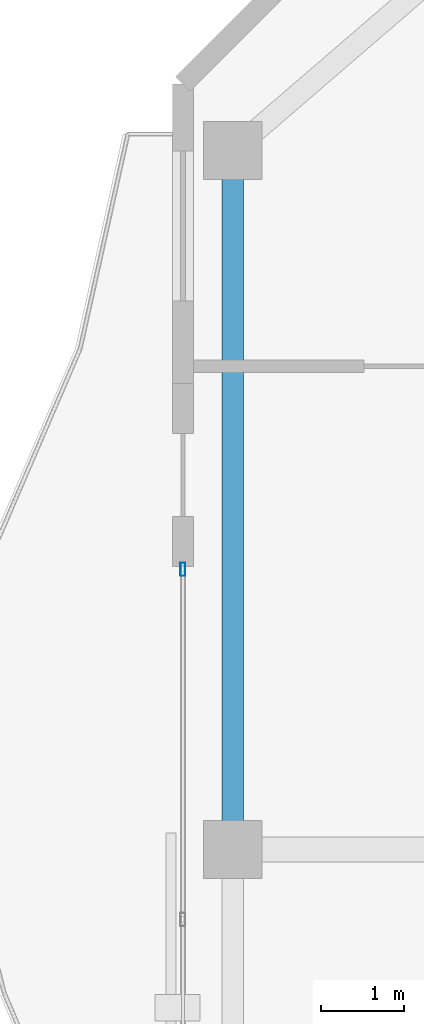
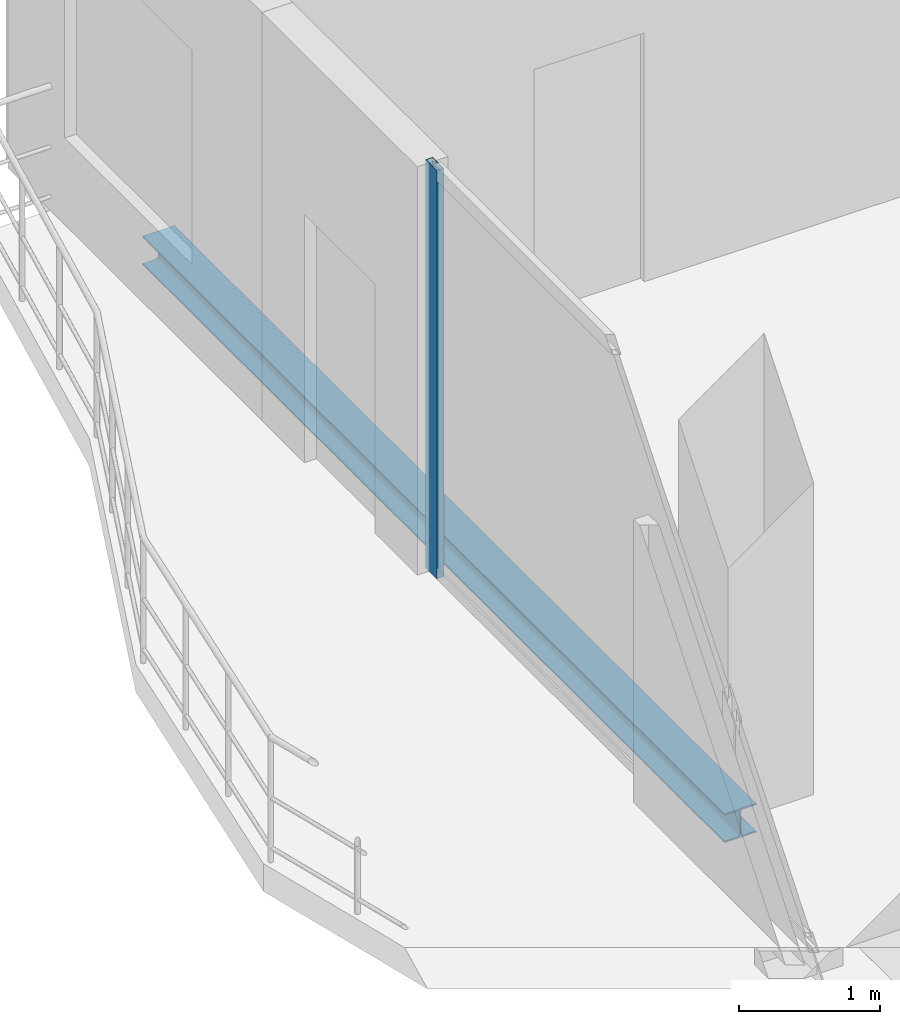
# One storey, part 12 of 22: 1 beam, 1 member, 1 element without a shape of its own.
"""IFC4 building model written with IfcOpenShell, lengths in metres."""

from ifc_helpers import new_model, si_unit, direction, frame, origin, origin_2d, place, context, subcontext, project, spatial, hollow_rectangle, i_section, extrude, material, layer, layer_set, material_profile, profile_set, type_object, element, aggregate, save


model = new_model("IFC4")

# Units and contexts
model_context = context("Model", 3, precision=1e-05, world=origin(), true_north=direction((0.0, 1.0)))
body_context = subcontext(model_context, "Body", "Model", "MODEL_VIEW")
ifc_project = project(units=[si_unit("LENGTHUNIT", "METRE"), si_unit("AREAUNIT", "SQUARE_METRE"), si_unit("VOLUMEUNIT", "CUBIC_METRE"), si_unit("PLANEANGLEUNIT", "RADIAN"), si_unit("MASSUNIT", "GRAM", prefix="KILO")], contexts=[model_context])

# Site, building, storey
site_placement = place(None, origin())
site = spatial("IfcSite", under=ifc_project, at=site_placement, CompositionType="ELEMENT")
building_placement = place(site_placement, origin())
building = spatial("IfcBuilding", under=site, at=building_placement, Name="Catumbela Crestline Tower", CompositionType="ELEMENT")
storey_placement = place(building_placement, frame((0.0, 0.0, 260.2)))
storey = spatial("IfcBuildingStorey", under=building, at=storey_placement, Name="L67", CompositionType="ELEMENT", Elevation=260.2)

# Curtain wall, member
ifc_material_1 = material(Name="Aluminium alloy AW-6060-T66", Category="aluminium")
ifc_layer = layer(ifc_material_1, 0.18, Name="Aluminium alloy AW-6060-T66")
ifc_layer_set = layer_set([ifc_layer], Name="Aluminium alloy AW-6060-T66")
curtain_wall_type = type_object("IfcCurtainWallType", Name="CWU-Z4", PredefinedType="USERDEFINED", material=ifc_layer_set)
curtain_wall_placement = place(storey_placement, origin())
curtain_wall = element("IfcCurtainWall", 1, at=curtain_wall_placement, inside=storey, type_object=curtain_wall_type, Name="L67 Unitised Curtain Wall CW-L67-E9S2", ObjectType="UNITISED", PredefinedType="USERDEFINED")
ifc_material_profile_1 = material_profile(ifc_material_1, hollow_rectangle(XDim=0.06, YDim=0.16, WallThickness=0.004, at=origin_2d()), Name="ALU 160x60x4")
ifc_profile_set_1 = profile_set([ifc_material_profile_1], Name="Aluminium alloy AW-6060-T66")
member_type = type_object("IfcMemberType", Name="MUL-160X60", PredefinedType="MULLION", material=ifc_profile_set_1)
member_placement = place(storey_placement, frame((5.0, 34.1675, 0.0), z_axis=(0.0, 0.0, 1.0), x_axis=(1.0, 0.0, 0.0)))
member = element("IfcMember", 2, at=member_placement, type_object=member_type, Name="CWU-Z4 mullion 1", PredefinedType="MULLION", context=body_context, shape_type="SweptSolid", body=[
    extrude(hollow_rectangle(XDim=0.06, YDim=0.16, WallThickness=0.004, at=origin_2d()), origin(), (0.0, 0.0, 1.0), 3.53),
])
aggregate(curtain_wall, [member])

# Beam
ifc_material_2 = material(Name="Structural steel S355J2", Category="steel")
ifc_material_profile_2 = material_profile(ifc_material_2, i_section(OverallWidth=0.26, OverallDepth=0.25, WebThickness=0.0075, FlangeThickness=0.0125, FilletRadius=0.024, at=origin_2d()), Name="HEA 260")
ifc_profile_set_2 = profile_set([ifc_material_profile_2], Name="Structural steel S355J2")
beam_type = type_object("IfcBeamType", Name="BS-HEA260", PredefinedType="SPANDREL", material=ifc_profile_set_2)
beam_placement = place(storey_placement, frame((5.6, 30.88, -0.385), z_axis=(0.0, 1.0, 0.0), x_axis=(-1.0, 0.0, 0.0)))
element("IfcBeam", 3, at=beam_placement, inside=storey, type_object=beam_type, Name="L67 Spandrel SP-L67-SN13", PredefinedType="SPANDREL", context=body_context, shape_type="SweptSolid", body=[
    extrude(i_section(OverallWidth=0.26, OverallDepth=0.25, WebThickness=0.0075, FlangeThickness=0.0125, FilletRadius=0.024, at=origin_2d()), origin(), (0.0, 0.0, 1.0), 8.24),
])

save(model, "model.ifc")
